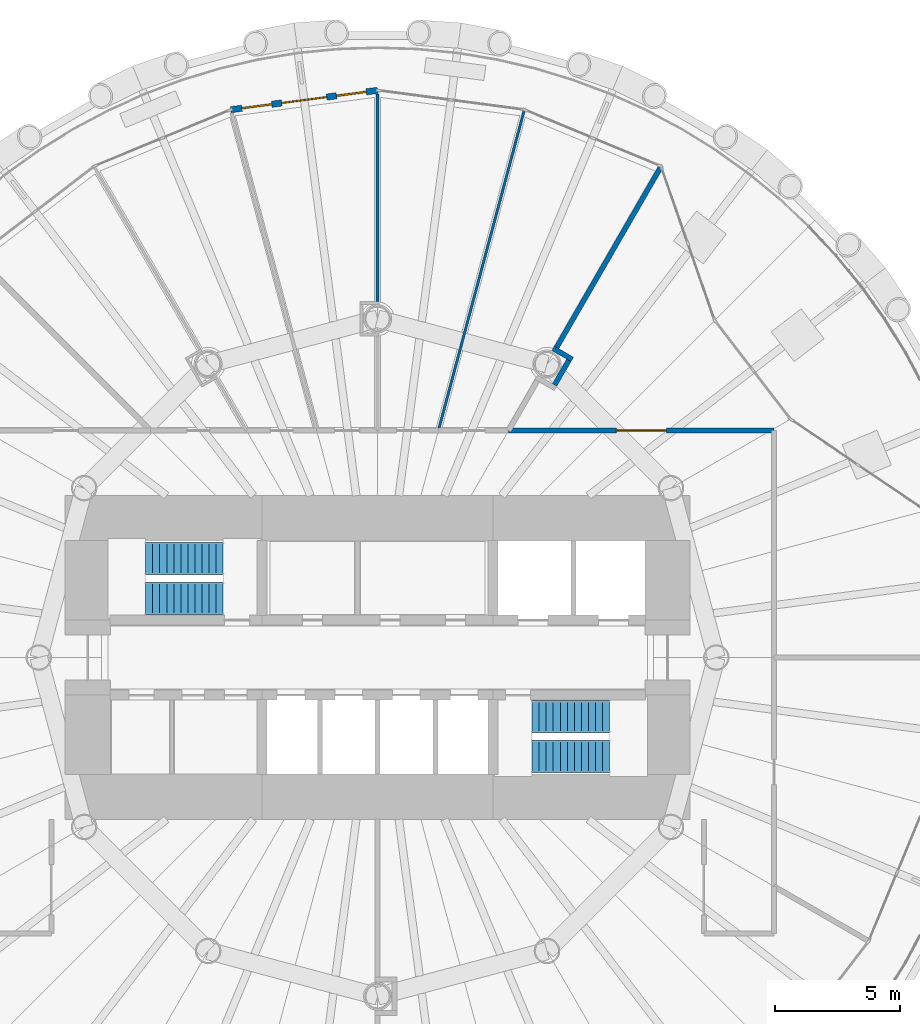
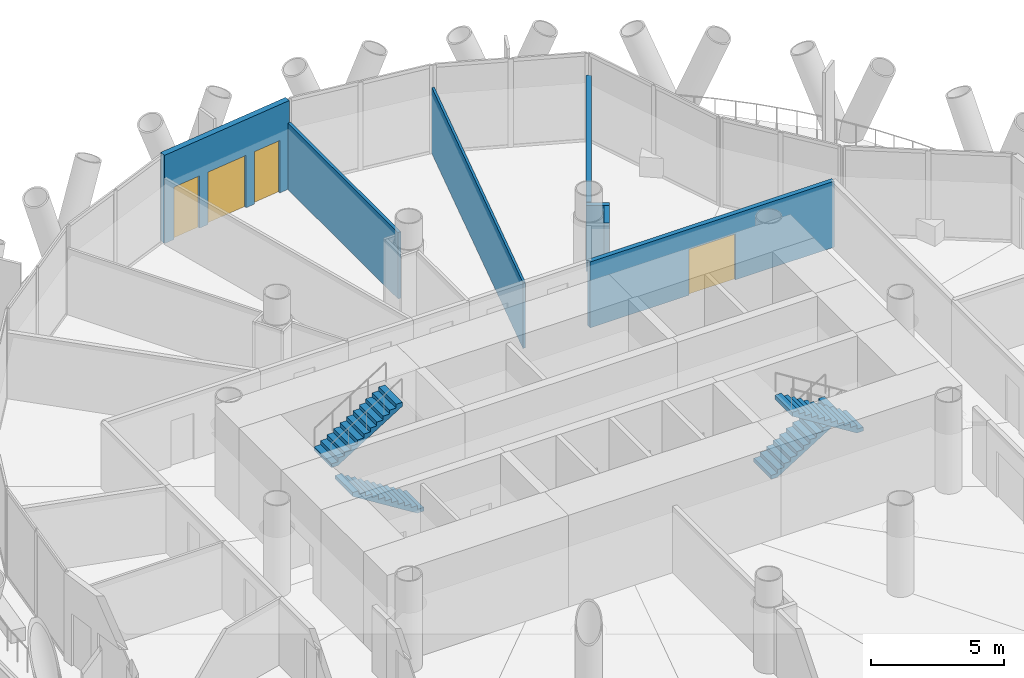
# One storey, part 12 of 16: 7 walls, 4 stair flights, 2 doors, 2 windows, 4 openings, 2 elements without a shape of their own.
"""IFC4 building model written with IfcOpenShell, lengths in metres."""

from ifc_helpers import new_model, si_unit, direction, frame, frame_2d, origin, place, context, subcontext, project, spatial, polyline, rectangle, outline, extrude, material, layer, layer_set, type_object, element, fill, aggregate, save


model = new_model("IFC4")

# Units and contexts
model_context = context("Model", 3, precision=1e-05, world=origin(), true_north=direction((0.0, 1.0)))
body_context = subcontext(model_context, "Body", "Model", "MODEL_VIEW")
ifc_project = project(units=[si_unit("LENGTHUNIT", "METRE"), si_unit("AREAUNIT", "SQUARE_METRE"), si_unit("VOLUMEUNIT", "CUBIC_METRE"), si_unit("PLANEANGLEUNIT", "RADIAN"), si_unit("MASSUNIT", "GRAM", prefix="KILO")], contexts=[model_context])

# Site, building, storey
site_placement = place(None, origin())
site = spatial("IfcSite", under=ifc_project, at=site_placement, CompositionType="ELEMENT")
building_placement = place(site_placement, origin())
building = spatial("IfcBuilding", under=site, at=building_placement, Name="Qaws Media Tower", CompositionType="ELEMENT")
storey_placement = place(building_placement, frame((0.0, 0.0, 135.199951171875)))
storey = spatial("IfcBuildingStorey", under=building, at=storey_placement, Name="L30", CompositionType="ELEMENT", Elevation=135.199951171875)

# Wall, openings, door, windows
ifc_material_1 = material(Name="Precast concrete, exposed finish", Category="concrete")
ifc_layer_1 = layer(ifc_material_1, 0.25)
ifc_layer_set_1 = layer_set([ifc_layer_1], Name="Balcony door wall 250")
wall_type_1 = type_object("IfcWallType", Name="Balcony door wall 250", PredefinedType="SOLIDWALL", material=ifc_layer_set_1)
wall_1_placement = place(storey_placement, frame((60.0, 72.60009765625, 0.0), z_axis=(0.0, 0.0, 1.0), x_axis=(-0.991440909901, -0.130556203128, 0.0)))
wall_1 = element("IfcWall", 1, at=wall_1_placement, inside=storey, type_object=wall_type_1, Name="W188 EW1 balcony door wall L30-07", PredefinedType="SOLIDWALL", context=body_context, shape_type="SweptSolid", body=[
    extrude(rectangle(XDim=5.89990234375, YDim=0.25, at=frame_2d((2.949951171875, 0.0))), origin(), (0.0, 0.0, 1.0), 4.0400390625),
])
opening_1_placement = place(wall_1_placement, frame((2.0498046875, 0.0, 0.0)))
opening_1 = element("IfcOpeningElement", 2, at=opening_1_placement, cuts=wall_1, Name="Opening D7", PredefinedType="OPENING", context=body_context, shape_type="SweptSolid", body=[
    extrude(rectangle(XDim=1.800048828125, YDim=2.39990234375, at=frame_2d((0.89990234375, 1.199951171875))), frame((0.0, 0.135009765625, 0.0), z_axis=(0.0, -1.0, 0.0), x_axis=(1.0, 0.0, 0.0)), (0.0, 0.0, 1.0), 0.27001953125),
])
opening_2_placement = place(wall_1_placement, frame((0.449951171875, 0.0, 0.0)))
opening_2 = element("IfcOpeningElement", 3, at=opening_2_placement, cuts=wall_1, Name="Opening W1", PredefinedType="OPENING", context=body_context, shape_type="SweptSolid", body=[
    extrude(rectangle(XDim=1.199951171875, YDim=2.39990234375, at=frame_2d((0.60009765625, 1.199951171875))), frame((0.0, 0.135009765625, 0.0), z_axis=(0.0, -1.0, 0.0), x_axis=(1.0, 0.0, 0.0)), (0.0, 0.0, 1.0), 0.27001953125),
])
opening_3_placement = place(wall_1_placement, frame((4.25, 0.0, 0.0)))
opening_3 = element("IfcOpeningElement", 4, at=opening_3_placement, cuts=wall_1, Name="Opening W1", PredefinedType="OPENING", context=body_context, shape_type="SweptSolid", body=[
    extrude(rectangle(XDim=1.199951171875, YDim=2.39990234375, at=frame_2d((0.60009765625, 1.199951171875))), frame((0.0, 0.135009765625, 0.0), z_axis=(0.0, -1.0, 0.0), x_axis=(1.0, 0.0, 0.0)), (0.0, 0.0, 1.0), 0.27001953125),
])
ifc_material_2 = material(Name="Aluminium and clear glass", Category="aluminium")
door_type_1 = type_object("IfcDoorType", Name="Balcony door pair 1800", OperationType="DOUBLE_DOOR_SLIDING", PredefinedType="DOOR", material=ifc_material_2)
door_1_placement = place(opening_1_placement, origin())
door_1 = element("IfcDoor", 5, at=door_1_placement, inside=storey, type_object=door_type_1, Name="D7 balcony door L30-07 in wall W188", OperationType="DOUBLE_DOOR_SLIDING", OverallHeight=2.39990234375, OverallWidth=1.800048828125, PredefinedType="DOOR", context=body_context, shape_type="SweptSolid", body=[
    extrude(rectangle(XDim=1.800048828125, YDim=2.39990234375, at=frame_2d((0.89990234375, 1.199951171875))), frame((0.0, 0.02490234375, 0.0), z_axis=(0.0, -1.0, 0.0), x_axis=(1.0, 0.0, 0.0)), (0.0, 0.0, 1.0), 0.050048828125),
])
fill(opening_1, door_1)
ifc_material_3 = material(Name="Aluminium and clear glass", Category="aluminium")
window_type = type_object("IfcWindowType", Name="Balcony side window 1200", PartitioningType="SINGLE_PANEL", PredefinedType="WINDOW", material=ifc_material_3)
window_1_placement = place(opening_2_placement, origin())
window_1 = element("IfcWindow", 6, at=window_1_placement, inside=storey, type_object=window_type, Name="W1 balcony side light L30-07L", OverallHeight=2.39990234375, OverallWidth=1.199951171875, PartitioningType="SINGLE_PANEL", PredefinedType="WINDOW", context=body_context, shape_type="SweptSolid", body=[
    extrude(rectangle(XDim=1.199951171875, YDim=2.39990234375, at=frame_2d((0.60009765625, 1.199951171875))), frame((0.0, 0.030029296875, 0.0), z_axis=(0.0, -1.0, 0.0), x_axis=(1.0, 0.0, 0.0)), (0.0, 0.0, 1.0), 0.06005859375),
])
fill(opening_2, window_1)
window_2_placement = place(opening_3_placement, origin())
window_2 = element("IfcWindow", 7, at=window_2_placement, inside=storey, type_object=window_type, Name="W1 balcony side light L30-07R", OverallHeight=2.39990234375, OverallWidth=1.199951171875, PartitioningType="SINGLE_PANEL", PredefinedType="WINDOW", context=body_context, shape_type="SweptSolid", body=[
    extrude(rectangle(XDim=1.199951171875, YDim=2.39990234375, at=frame_2d((0.60009765625, 1.199951171875))), frame((0.0, 0.030029296875, 0.0), z_axis=(0.0, -1.0, 0.0), x_axis=(1.0, 0.0, 0.0)), (0.0, 0.0, 1.0), 0.06005859375),
])
fill(opening_3, window_2)

# Walls
ifc_material_4 = material(Name="Two layers gypsum board each side on 75 studs, insulated", Category="gypsum")
ifc_layer_2 = layer(ifc_material_4, 0.125)
ifc_layer_set_2 = layer_set([ifc_layer_2], Name="Meeting room partition 125 Rw 48")
wall_type_2 = type_object("IfcWallType", Name="Meeting room partition 125 Rw 48", PredefinedType="PARTITIONING", material=ifc_layer_set_2)
wall_2_placement = place(storey_placement, frame((60.0, 64.193115234375, 0.0), z_axis=(0.0, 0.0, 1.0), x_axis=(0.0, 1.0, 0.0)))
element("IfcWall", 8, at=wall_2_placement, inside=storey, type_object=wall_type_2, Name="W553 IW5 partition L30", PredefinedType="PARTITIONING", context=body_context, shape_type="SweptSolid", body=[
    extrude(rectangle(XDim=8.266845703125, YDim=0.125, at=frame_2d((4.13330078125, 0.0))), origin(), (0.0, 0.0, 1.0), 3.0400390625),
])
ifc_material_5 = material(Name="Gypsum board on 70 metal studs, single layer each side", Category="gypsum")
ifc_layer_3 = layer(ifc_material_5, 0.10009765625)
ifc_layer_set_3 = layer_set([ifc_layer_3], Name="Office stud partition 100")
wall_type_3 = type_object("IfcWallType", Name="Office stud partition 100", PredefinedType="PARTITIONING", material=ifc_layer_set_3)
wall_3_placement = place(storey_placement, frame((62.422607421875, 59.041015625, 0.0), z_axis=(0.0, 0.0, 1.0), x_axis=(0.258825143973, 0.965924192081, 0.0)))
element("IfcWall", 9, at=wall_3_placement, inside=storey, type_object=wall_type_3, Name="W675 IW4 partition L30", PredefinedType="PARTITIONING", context=body_context, shape_type="SweptSolid", body=[
    extrude(rectangle(XDim=13.199951171875, YDim=0.10009765625, at=frame_2d((6.60009765625, 0.0))), origin(), (0.0, 0.0, 1.0), 3.02001953125),
])

# Wall, opening, door
ifc_material_6 = material(Name="Gypsum board on galvanised metal studs, acoustic double stud, deflection head", Category="gypsum")
ifc_layer_4 = layer(ifc_material_6, 0.199951171875)
ifc_layer_set_4 = layer_set([ifc_layer_4], Name="Room partition 200")
wall_type_4 = type_object("IfcWallType", Name="Room partition 200", PredefinedType="PARTITIONING", material=ifc_layer_set_4)
wall_4_placement = place(storey_placement, frame((65.22509765625, 59.050048828125, 0.0), z_axis=(0.0, 0.0, 1.0), x_axis=(1.0, 0.0, 0.0)))
wall_4 = element("IfcWall", 10, at=wall_4_placement, inside=storey, type_object=wall_type_4, Name="W1293 IW3 partition L30", PredefinedType="PARTITIONING", context=body_context, shape_type="SweptSolid", body=[
    extrude(rectangle(XDim=10.574951171875, YDim=0.199951171875, at=frame_2d((5.28759765625, 0.0))), origin(), (0.0, 0.0, 1.0), 3.02001953125),
])
opening_4_placement = place(wall_4_placement, frame((4.28759765625, 0.0, 0.0)))
opening_4 = element("IfcOpeningElement", 11, at=opening_4_placement, cuts=wall_4, Name="Opening D6", PredefinedType="OPENING", context=body_context, shape_type="SweptSolid", body=[
    extrude(rectangle(XDim=2.0, YDim=2.10009765625, at=frame_2d((1.0, 1.050048828125))), frame((0.0, 0.10986328125, 0.0), z_axis=(0.0, -1.0, 0.0), x_axis=(1.0, 0.0, 0.0)), (0.0, 0.0, 1.0), 0.219970703125),
])
ifc_material_7 = material(Name="Steel, acoustic, fire rated", Category="steel")
door_type_2 = type_object("IfcDoorType", Name="Room door pair 2000", OperationType="DOUBLE_DOOR_DOUBLE_SWING", PredefinedType="DOOR", material=ifc_material_7)
door_2_placement = place(opening_4_placement, origin())
door_2 = element("IfcDoor", 12, at=door_2_placement, inside=storey, type_object=door_type_2, Name="D6 Paralegal office door L30 in wall W1293", OperationType="DOUBLE_DOOR_DOUBLE_SWING", OverallHeight=2.10009765625, OverallWidth=2.0, PredefinedType="DOOR", context=body_context, shape_type="SweptSolid", body=[
    extrude(rectangle(XDim=2.0, YDim=2.10009765625, at=frame_2d((1.0, 1.050048828125))), frame((0.0, 0.02490234375, 0.0), z_axis=(0.0, -1.0, 0.0), x_axis=(1.0, 0.0, 0.0)), (0.0, 0.0, 1.0), 0.050048828125),
])
fill(opening_4, door_2)

# Walls
wall_5_placement = place(storey_placement, frame((66.997314453125, 62.31982421875, 0.0), z_axis=(0.0, 0.0, 1.0), x_axis=(0.86607910459, -0.49990697594, 0.0)))
element("IfcWall", 13, at=wall_5_placement, inside=storey, type_object=wall_type_4, Name="W1295 IW3 partition return L30", PredefinedType="PARTITIONING", context=body_context, shape_type="SweptSolid", body=[
    extrude(rectangle(XDim=0.878173828125, YDim=0.199951171875, at=frame_2d((0.43896484375, 0.0))), origin(), (0.0, 0.0, 1.0), 3.02001953125),
])
wall_6_placement = place(storey_placement, frame((67.05322265625, 60.8603515625, 0.0), z_axis=(0.0, 0.0, 1.0), x_axis=(0.499883687939, 0.866092546171, 0.0)))
element("IfcWall", 14, at=wall_6_placement, inside=storey, type_object=wall_type_4, Name="W1296 IW3 partition return L30", PredefinedType="PARTITIONING", context=body_context, shape_type="SweptSolid", body=[
    extrude(rectangle(XDim=1.135986328125, YDim=0.199951171875, at=frame_2d((0.56787109375, 0.0))), origin(), (0.0, 0.0, 1.0), 3.02001953125),
])
wall_7_placement = place(storey_placement, frame((67.134033203125, 62.3564453125, 0.0), z_axis=(0.0, 0.0, 1.0), x_axis=(0.499996007168, 0.866027709035, 0.0)))
element("IfcWall", 15, at=wall_7_placement, inside=storey, type_object=wall_type_4, Name="W1297 IW3 partition L30", PredefinedType="PARTITIONING", context=body_context, shape_type="SweptSolid", body=[
    extrude(rectangle(XDim=8.2919921875, YDim=0.199951171875, at=frame_2d((4.14599609375, 0.0))), origin(), (0.0, 0.0, 1.0), 3.0400390625),
])

# Stair, stair flights
ifc_material_8 = material(Name="Concrete C40/50", Category="concrete")
stair_type = type_object("IfcStairType", Name="Exit stair", PredefinedType="HALF_TURN_STAIR", material=ifc_material_8)
stair_1_placement = place(storey_placement, origin())
stair_1 = element("IfcStair", 16, at=stair_1_placement, inside=storey, type_object=stair_type, Name="S1 exit stair L30", PredefinedType="HALF_TURN_STAIR")
ifc_material_9 = material(Name="Concrete C40/50", Category="concrete")
stair_flight_type = type_object("IfcStairFlightType", Name="Stair flight 1310", PredefinedType="STRAIGHT", material=ifc_material_9)
stair_flight_1_placement = place(storey_placement, frame((53.840087890625, 52.35498046875, 0.0), z_axis=(0.0, 0.0, 1.0), x_axis=(-1.0, 0.0, 0.0)))
stair_flight_1 = element("IfcStairFlight", 17, at=stair_flight_1_placement, type_object=stair_flight_type, Name="S1 flight 1", NumberOfRisers=12, NumberOfTreads=11, PredefinedType="STRAIGHT", RiserHeight=0.175, TreadLength=0.28, context=body_context, shape_type="SweptSolid", body=[
    extrude(outline(polyline([(0.0, 0.0), (0.0, 0.175048828125), (0.280029296875, 0.175048828125), (0.280029296875, 0.35009765625), (0.56005859375, 0.35009765625), (0.56005859375, 0.52490234375), (0.840087890625, 0.52490234375), (0.840087890625, 0.699951171875), (1.1201171875, 0.699951171875), (1.1201171875, 0.875), (1.39990234375, 0.875), (1.39990234375, 1.050048828125), (1.679931640625, 1.050048828125), (1.679931640625, 1.22509765625), (1.9599609375, 1.22509765625), (1.9599609375, 1.39990234375), (2.239990234375, 1.39990234375), (2.239990234375, 1.574951171875), (2.52001953125, 1.574951171875), (2.52001953125, 1.75), (2.800048828125, 1.75), (2.800048828125, 1.925048828125), (3.080078125, 1.925048828125), (3.080078125, 2.10009765625), (3.080078125, 1.748291015625), (0.28271484375, 0.0), (0.0, 0.0)])), frame((0.0, 0.655029296875, 0.0), z_axis=(0.0, -1.0, 0.0), x_axis=(1.0, 0.0, 0.0)), (0.0, 0.0, 1.0), 1.31005859375),
])
stair_flight_2_placement = place(storey_placement, frame((50.760009765625, 53.945068359375, 2.10009765625), z_axis=(0.0, 0.0, 1.0), x_axis=(1.0, 0.0, 0.0)))
stair_flight_2 = element("IfcStairFlight", 18, at=stair_flight_2_placement, type_object=stair_flight_type, Name="S1 flight 2", NumberOfRisers=12, NumberOfTreads=11, PredefinedType="STRAIGHT", RiserHeight=0.175, TreadLength=0.28, context=body_context, shape_type="SweptSolid", body=[
    extrude(outline(polyline([(0.0, 0.0), (0.0, 0.175048828125), (0.280029296875, 0.175048828125), (0.280029296875, 0.35009765625), (0.56005859375, 0.35009765625), (0.56005859375, 0.52490234375), (0.840087890625, 0.52490234375), (0.840087890625, 0.699951171875), (1.1201171875, 0.699951171875), (1.1201171875, 0.875), (1.39990234375, 0.875), (1.39990234375, 1.050048828125), (1.679931640625, 1.050048828125), (1.679931640625, 1.22509765625), (1.9599609375, 1.22509765625), (1.9599609375, 1.39990234375), (2.239990234375, 1.39990234375), (2.239990234375, 1.574951171875), (2.52001953125, 1.574951171875), (2.52001953125, 1.75), (2.800048828125, 1.75), (2.800048828125, 1.925048828125), (3.080078125, 1.925048828125), (3.080078125, 2.10009765625), (3.080078125, 1.748291015625), (0.28271484375, 0.0), (0.0, 0.0)])), frame((0.0, 0.655029296875, 0.0), z_axis=(0.0, -1.0, 0.0), x_axis=(1.0, 0.0, 0.0)), (0.0, 0.0, 1.0), 1.31005859375),
])
aggregate(stair_1, [stair_flight_1, stair_flight_2])

stair_2_placement = place(storey_placement, origin())
stair_2 = element("IfcStair", 19, at=stair_2_placement, inside=storey, type_object=stair_type, Name="S2 exit stair L30", PredefinedType="HALF_TURN_STAIR")
stair_flight_3_placement = place(storey_placement, frame((66.159912109375, 47.64501953125, 0.0), z_axis=(0.0, 0.0, 1.0), x_axis=(1.0, 0.0, 0.0)))
stair_flight_3 = element("IfcStairFlight", 20, at=stair_flight_3_placement, type_object=stair_flight_type, Name="S2 flight 1", NumberOfRisers=12, NumberOfTreads=11, PredefinedType="STRAIGHT", RiserHeight=0.175, TreadLength=0.28, context=body_context, shape_type="SweptSolid", body=[
    extrude(outline(polyline([(0.0, 0.0), (0.0, 0.175048828125), (0.280029296875, 0.175048828125), (0.280029296875, 0.35009765625), (0.56005859375, 0.35009765625), (0.56005859375, 0.52490234375), (0.840087890625, 0.52490234375), (0.840087890625, 0.699951171875), (1.1201171875, 0.699951171875), (1.1201171875, 0.875), (1.39990234375, 0.875), (1.39990234375, 1.050048828125), (1.679931640625, 1.050048828125), (1.679931640625, 1.22509765625), (1.9599609375, 1.22509765625), (1.9599609375, 1.39990234375), (2.239990234375, 1.39990234375), (2.239990234375, 1.574951171875), (2.52001953125, 1.574951171875), (2.52001953125, 1.75), (2.800048828125, 1.75), (2.800048828125, 1.925048828125), (3.080078125, 1.925048828125), (3.080078125, 2.10009765625), (3.080078125, 1.748291015625), (0.28271484375, 0.0), (0.0, 0.0)])), frame((0.0, 0.655029296875, 0.0), z_axis=(0.0, -1.0, 0.0), x_axis=(1.0, 0.0, 0.0)), (0.0, 0.0, 1.0), 1.31005859375),
])
stair_flight_4_placement = place(storey_placement, frame((69.239990234375, 46.054931640625, 2.10009765625), z_axis=(0.0, 0.0, 1.0), x_axis=(-1.0, 0.0, 0.0)))
stair_flight_4 = element("IfcStairFlight", 21, at=stair_flight_4_placement, type_object=stair_flight_type, Name="S2 flight 2", NumberOfRisers=12, NumberOfTreads=11, PredefinedType="STRAIGHT", RiserHeight=0.175, TreadLength=0.28, context=body_context, shape_type="SweptSolid", body=[
    extrude(outline(polyline([(0.0, 0.0), (0.0, 0.175048828125), (0.280029296875, 0.175048828125), (0.280029296875, 0.35009765625), (0.56005859375, 0.35009765625), (0.56005859375, 0.52490234375), (0.840087890625, 0.52490234375), (0.840087890625, 0.699951171875), (1.1201171875, 0.699951171875), (1.1201171875, 0.875), (1.39990234375, 0.875), (1.39990234375, 1.050048828125), (1.679931640625, 1.050048828125), (1.679931640625, 1.22509765625), (1.9599609375, 1.22509765625), (1.9599609375, 1.39990234375), (2.239990234375, 1.39990234375), (2.239990234375, 1.574951171875), (2.52001953125, 1.574951171875), (2.52001953125, 1.75), (2.800048828125, 1.75), (2.800048828125, 1.925048828125), (3.080078125, 1.925048828125), (3.080078125, 2.10009765625), (3.080078125, 1.748291015625), (0.28271484375, 0.0), (0.0, 0.0)])), frame((0.0, 0.655029296875, 0.0), z_axis=(0.0, -1.0, 0.0), x_axis=(1.0, 0.0, 0.0)), (0.0, 0.0, 1.0), 1.31005859375),
])
aggregate(stair_2, [stair_flight_3, stair_flight_4])

save(model, "model.ifc")
